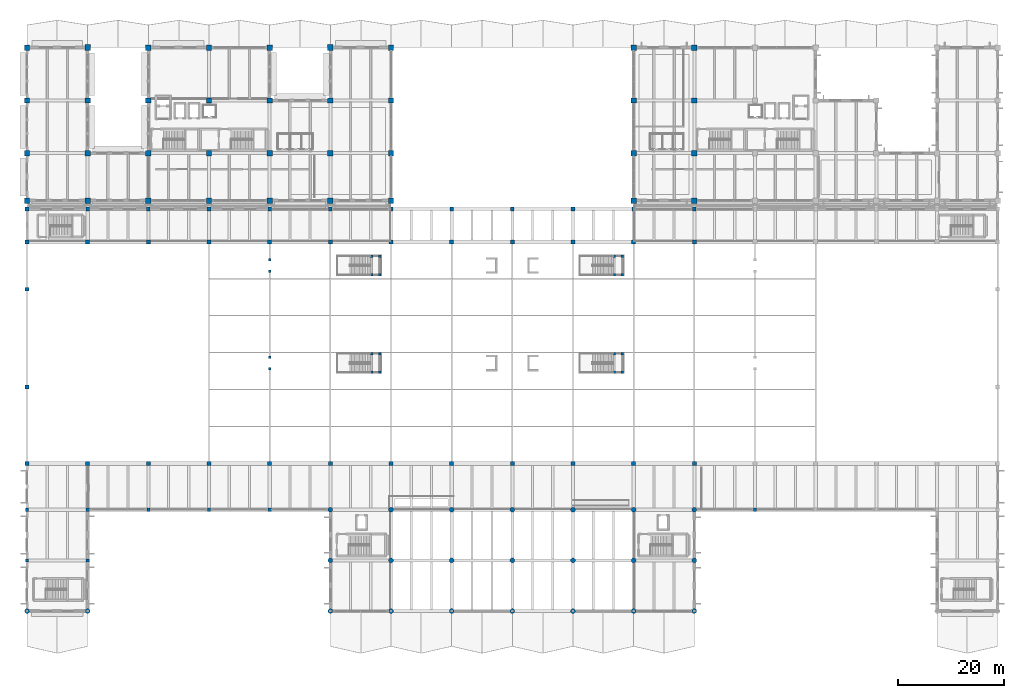
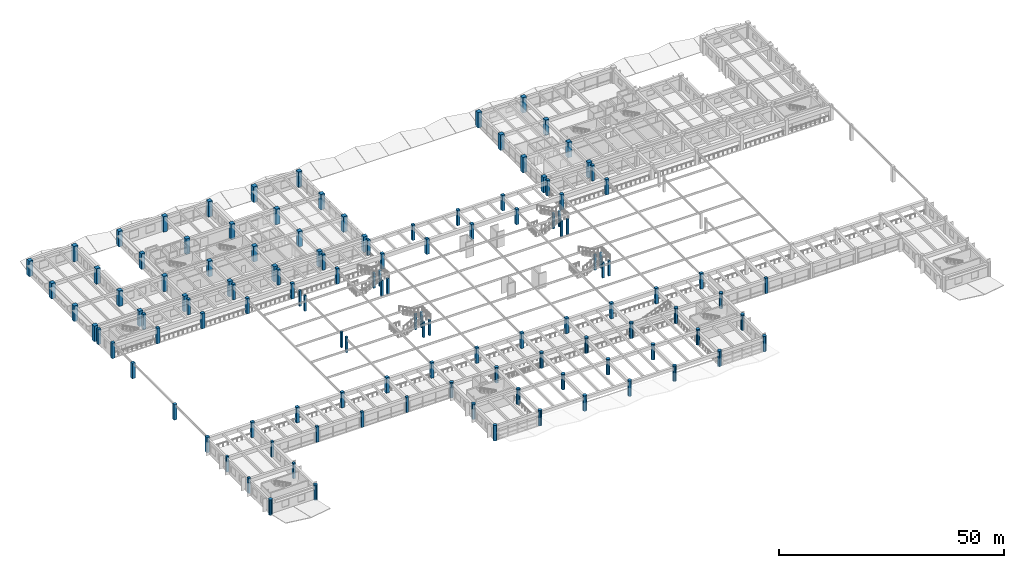
# One storey, part 1 of 98: 125 columns.
"""IFC4 building model written with IfcOpenShell, lengths in metres."""

from ifc_helpers import new_model, si_unit, direction, frame, origin, origin_2d, place, context, subcontext, project, spatial, rectangle, circle, extrude, material, material_profile, profile_set, type_object, element, save


model = new_model("IFC4")

# Units and contexts
model_context = context("Model", 3, precision=1e-05, world=origin(), true_north=direction((0.0, 1.0)))
body_context = subcontext(model_context, "Body", "Model", "MODEL_VIEW")
ifc_project = project(units=[si_unit("LENGTHUNIT", "METRE"), si_unit("AREAUNIT", "SQUARE_METRE"), si_unit("VOLUMEUNIT", "CUBIC_METRE"), si_unit("PLANEANGLEUNIT", "RADIAN"), si_unit("MASSUNIT", "GRAM", prefix="KILO")], contexts=[model_context])

# Site, building, storey
site_placement = place(None, origin())
site = spatial("IfcSite", under=ifc_project, at=site_placement, CompositionType="ELEMENT")
building_placement = place(site_placement, origin())
building = spatial("IfcBuilding", under=site, at=building_placement, Name="Ologun Quay Terminus", CompositionType="ELEMENT")
storey_placement = place(building_placement, frame((0.0, 0.0, 4.199951171875)))
storey = spatial("IfcBuildingStorey", under=building, at=storey_placement, Name="L01", CompositionType="ELEMENT", Elevation=4.199951171875)

# Columns
ifc_material_1 = material(Name="Concrete C40/50", Category="concrete")
ifc_material_profile_1 = material_profile(ifc_material_1, rectangle(XDim=0.5, YDim=0.5, at=origin_2d()), Name="RC 500x500")
ifc_profile_set_1 = profile_set([ifc_material_profile_1], Name="Concrete C40/50")
column_type_1 = type_object("IfcColumnType", Name="Canopy Edge Column 500x500", PredefinedType="COLUMN", material=ifc_profile_set_1)
for number, where, z_axis, x_axis, name in (
    (1, (65.300048828125, 53.25, -2.280029296875), (0.0, 0.0, 1.0), (1.0, 0.0, 0.0), "C8 Platform Upper Half-Landing Column ST-P1-BS"),
    (2, (65.300048828125, 56.75, -2.280029296875), (0.0, 0.0, 1.0), (1.0, 0.0, 0.0), "C8 Platform Upper Half-Landing Column ST-P1-BN"),
    (3, (66.85009765625, 53.25, -2.280029296875), (0.0, 0.0, 1.0), (1.0, 0.0, 0.0), "C8 Platform Upper Half-Landing Column ST-P1-CS"),
    (4, (66.85009765625, 56.75, -2.280029296875), (0.0, 0.0, 1.0), (1.0, 0.0, 0.0), "C8 Platform Upper Half-Landing Column ST-P1-CN"),
    (5, (111.300048828125, 53.25, -2.280029296875), (0.0, 0.0, 1.0), (1.0, 0.0, 0.0), "C8 Platform Upper Half-Landing Column ST-P2-BS"),
    (6, (111.300048828125, 56.75, -2.280029296875), (0.0, 0.0, 1.0), (1.0, 0.0, 0.0), "C8 Platform Upper Half-Landing Column ST-P2-BN"),
    (7, (112.85009765625, 53.25, -2.280029296875), (0.0, 0.0, 1.0), (1.0, 0.0, 0.0), "C8 Platform Upper Half-Landing Column ST-P2-CS"),
    (8, (112.85009765625, 56.75, -2.280029296875), (0.0, 0.0, 1.0), (1.0, 0.0, 0.0), "C8 Platform Upper Half-Landing Column ST-P2-CN"),
    (9, (65.300048828125, 71.75, -2.280029296875), (0.0, 0.0, 1.0), (1.0, 0.0, 0.0), "C8 Platform Upper Half-Landing Column ST-P3-BS"),
    (10, (65.300048828125, 75.25, -2.280029296875), (0.0, 0.0, 1.0), (1.0, 0.0, 0.0), "C8 Platform Upper Half-Landing Column ST-P3-BN"),
    (11, (66.85009765625, 71.75, -2.280029296875), (0.0, 0.0, 1.0), (1.0, 0.0, 0.0), "C8 Platform Upper Half-Landing Column ST-P3-CS"),
    (12, (66.85009765625, 75.25, -2.280029296875), (0.0, 0.0, 1.0), (1.0, 0.0, 0.0), "C8 Platform Upper Half-Landing Column ST-P3-CN"),
    (13, (111.300048828125, 71.75, -2.280029296875), (0.0, 0.0, 1.0), (1.0, 0.0, 0.0), "C8 Platform Upper Half-Landing Column ST-P4-BS"),
    (14, (111.300048828125, 75.25, -2.280029296875), (0.0, 0.0, 1.0), (1.0, 0.0, 0.0), "C8 Platform Upper Half-Landing Column ST-P4-BN"),
    (15, (112.85009765625, 71.75, -2.280029296875), (0.0, 0.0, 1.0), (1.0, 0.0, 0.0), "C8 Platform Upper Half-Landing Column ST-P4-CS"),
    (16, (112.85009765625, 75.25, -2.280029296875), (0.0, 0.0, 1.0), (1.0, 0.0, 0.0), "C8 Platform Upper Half-Landing Column ST-P4-CN"),
):
    element("IfcColumn", number, at=place(storey_placement, frame(where, z_axis=z_axis, x_axis=x_axis)), inside=storey, type_object=column_type_1, Name=name, PredefinedType="COLUMN", context=body_context, shape_type="SweptSolid", body=[
        extrude(rectangle(XDim=0.5, YDim=0.5, at=origin_2d()), origin(), (0.0, 0.0, 1.0), 4.2001953125),
    ])
for number, where, z_axis, x_axis, name in (
    (17, (46.0, 53.89990234375, 0.0), (0.0, 0.0, 1.0), (1.0, 0.0, 0.0), "C8 Concourse Trimmer Column 5-1 L01"),
    (18, (46.0, 56.10009765625, 0.0), (0.0, 0.0, 1.0), (1.0, 0.0, 0.0), "C8 Concourse Trimmer Column 5-2 L01"),
    (19, (46.0, 72.39990234375, 0.0), (0.0, 0.0, 1.0), (1.0, 0.0, 0.0), "C8 Concourse Trimmer Column 5-3 L01"),
    (20, (46.0, 74.60009765625, 0.0), (0.0, 0.0, 1.0), (1.0, 0.0, 0.0), "C8 Concourse Trimmer Column 5-4 L01"),
):
    element("IfcColumn", number, at=place(storey_placement, frame(where, z_axis=z_axis, x_axis=x_axis)), inside=storey, type_object=column_type_1, Name=name, PredefinedType="COLUMN", context=body_context, shape_type="SweptSolid", body=[
        extrude(rectangle(XDim=0.5, YDim=0.5, at=origin_2d()), origin(), (0.0, 0.0, 1.0), 4.199951171875),
    ])
ifc_material_2 = material(Name="Concrete C45/55", Category="concrete")
ifc_material_profile_2 = material_profile(ifc_material_2, rectangle(XDim=1.10009765625, YDim=1.10009765625, at=origin_2d()), Name="RC 1100x1100")
ifc_profile_set_2 = profile_set([ifc_material_profile_2], Name="Concrete C45/55")
column_type_2 = type_object("IfcColumnType", Name="Courtyard Wing Lower Column 1100x1100", PredefinedType="COLUMN", material=ifc_profile_set_2)
for number, where, z_axis, x_axis, name in (
    (21, (11.5, 114.800048828125, 0.0), (0.0, 0.0, 1.0), (1.0, 0.0, 0.0), "C1 Column 2/K L01"),
    (22, (57.5, 114.800048828125, 0.0), (0.0, 0.0, 1.0), (1.0, 0.0, 0.0), "C1 Column 6/K L01"),
):
    element("IfcColumn", number, at=place(storey_placement, frame(where, z_axis=z_axis, x_axis=x_axis)), inside=storey, type_object=column_type_2, Name=name, PredefinedType="COLUMN", context=body_context, shape_type="SweptSolid", body=[
        extrude(rectangle(XDim=1.10009765625, YDim=1.10009765625, at=origin_2d()), origin(), (0.0, 0.0, 1.0), 4.199951171875),
    ])
ifc_material_3 = material(Name="Concrete C45/55", Category="concrete")
ifc_material_profile_3 = material_profile(ifc_material_3, rectangle(XDim=1.0, YDim=1.0, at=origin_2d()), Name="RC 1000x1000")
ifc_profile_set_3 = profile_set([ifc_material_profile_3], Name="Concrete C45/55")
column_type_3 = type_object("IfcColumnType", Name="Courtyard Wing Mid-Lower Column 1000x1000", PredefinedType="COLUMN", material=ifc_profile_set_3)
for number, where, z_axis, x_axis, name in (
    (23, (0.0, 85.800048828125, 0.0), (0.0, 0.0, 1.0), (1.0, 0.0, 0.0), "C2 Column 1/G2 L01"),
    (24, (0.0, 94.800048828125, 0.0), (0.0, 0.0, 1.0), (1.0, 0.0, 0.0), "C2 Column 1/H L01"),
    (25, (0.0, 104.800048828125, 0.0), (0.0, 0.0, 1.0), (1.0, 0.0, 0.0), "C2 Column 1/J L01"),
    (26, (0.0, 114.800048828125, 0.0), (0.0, 0.0, 1.0), (1.0, 0.0, 0.0), "C2 Column 1/K L01"),
    (27, (11.5, 85.800048828125, 0.0), (0.0, 0.0, 1.0), (1.0, 0.0, 0.0), "C2 Column 2/G2 L01"),
    (28, (11.5, 94.800048828125, 0.0), (0.0, 0.0, 1.0), (1.0, 0.0, 0.0), "C2 Column 2/H L01"),
    (29, (11.5, 104.800048828125, 0.0), (0.0, 0.0, 1.0), (1.0, 0.0, 0.0), "C2 Column 2/J L01"),
    (30, (23.0, 85.800048828125, 0.0), (0.0, 0.0, 1.0), (1.0, 0.0, 0.0), "C2 Column 3/G2 L01"),
    (31, (23.0, 94.800048828125, 0.0), (0.0, 0.0, 1.0), (1.0, 0.0, 0.0), "C2 Column 3/H L01"),
    (32, (23.0, 104.800048828125, 0.0), (0.0, 0.0, 1.0), (1.0, 0.0, 0.0), "C2 Column 3/J L01"),
    (33, (23.0, 114.800048828125, 0.0), (0.0, 0.0, 1.0), (1.0, 0.0, 0.0), "C2 Column 3/K L01"),
    (34, (34.5, 85.800048828125, 0.0), (0.0, 0.0, 1.0), (1.0, 0.0, 0.0), "C2 Column 4/G2 L01"),
    (35, (34.5, 94.800048828125, 0.0), (0.0, 0.0, 1.0), (1.0, 0.0, 0.0), "C2 Column 4/H L01"),
    (36, (34.5, 104.800048828125, 0.0), (0.0, 0.0, 1.0), (1.0, 0.0, 0.0), "C2 Column 4/J L01"),
    (37, (34.5, 114.800048828125, 0.0), (0.0, 0.0, 1.0), (1.0, 0.0, 0.0), "C2 Column 4/K L01"),
    (38, (46.0, 85.800048828125, 0.0), (0.0, 0.0, 1.0), (1.0, 0.0, 0.0), "C2 Column 5/G2 L01"),
    (39, (46.0, 94.800048828125, 0.0), (0.0, 0.0, 1.0), (1.0, 0.0, 0.0), "C2 Column 5/H L01"),
    (40, (46.0, 104.800048828125, 0.0), (0.0, 0.0, 1.0), (1.0, 0.0, 0.0), "C2 Column 5/J L01"),
    (41, (46.0, 114.800048828125, 0.0), (0.0, 0.0, 1.0), (1.0, 0.0, 0.0), "C2 Column 5/K L01"),
    (42, (57.5, 85.800048828125, 0.0), (0.0, 0.0, 1.0), (1.0, 0.0, 0.0), "C2 Column 6/G2 L01"),
    (43, (57.5, 94.800048828125, 0.0), (0.0, 0.0, 1.0), (1.0, 0.0, 0.0), "C2 Column 6/H L01"),
    (44, (57.5, 104.800048828125, 0.0), (0.0, 0.0, 1.0), (1.0, 0.0, 0.0), "C2 Column 6/J L01"),
    (45, (69.0, 85.800048828125, 0.0), (0.0, 0.0, 1.0), (1.0, 0.0, 0.0), "C2 Column 7/G2 L01"),
    (46, (69.0, 94.800048828125, 0.0), (0.0, 0.0, 1.0), (1.0, 0.0, 0.0), "C2 Column 7/H L01"),
    (47, (69.0, 104.800048828125, 0.0), (0.0, 0.0, 1.0), (1.0, 0.0, 0.0), "C2 Column 7/J L01"),
    (48, (69.0, 114.800048828125, 0.0), (0.0, 0.0, 1.0), (1.0, 0.0, 0.0), "C2 Column 7/K L01"),
    (49, (115.0, 85.800048828125, 0.0), (0.0, 0.0, 1.0), (1.0, 0.0, 0.0), "C2 Column 11/G2 L01"),
    (50, (115.0, 94.800048828125, 0.0), (0.0, 0.0, 1.0), (1.0, 0.0, 0.0), "C2 Column 11/H L01"),
    (51, (115.0, 104.800048828125, 0.0), (0.0, 0.0, 1.0), (1.0, 0.0, 0.0), "C2 Column 11/J L01"),
    (52, (115.0, 114.800048828125, 0.0), (0.0, 0.0, 1.0), (1.0, 0.0, 0.0), "C2 Column 11/K L01"),
    (53, (126.5, 85.800048828125, 0.0), (0.0, 0.0, 1.0), (1.0, 0.0, 0.0), "C2 Column 12/G2 L01"),
    (54, (126.5, 94.800048828125, 0.0), (0.0, 0.0, 1.0), (1.0, 0.0, 0.0), "C2 Column 12/H L01"),
    (55, (126.5, 104.800048828125, 0.0), (0.0, 0.0, 1.0), (1.0, 0.0, 0.0), "C2 Column 12/J L01"),
    (56, (126.5, 114.800048828125, 0.0), (0.0, 0.0, 1.0), (1.0, 0.0, 0.0), "C2 Column 12/K L01"),
):
    element("IfcColumn", number, at=place(storey_placement, frame(where, z_axis=z_axis, x_axis=x_axis)), inside=storey, type_object=column_type_3, Name=name, PredefinedType="COLUMN", context=body_context, shape_type="SweptSolid", body=[
        extrude(rectangle(XDim=1.0, YDim=1.0, at=origin_2d()), origin(), (0.0, 0.0, 1.0), 4.199951171875),
    ])
ifc_material_4 = material(Name="Concrete C40/50", Category="concrete")
ifc_material_profile_4 = material_profile(ifc_material_4, rectangle(XDim=0.60009765625, YDim=0.60009765625, at=origin_2d()), Name="RC 600x600")
ifc_profile_set_4 = profile_set([ifc_material_profile_4], Name="Concrete C40/50")
column_type_4 = type_object("IfcColumnType", Name="Podium Retail Column 600x600", PredefinedType="COLUMN", material=ifc_profile_set_4)
for number, where, z_axis, x_axis, name in (
    (57, (0.0, 17.60009765625, 0.0), (0.0, 0.0, 1.0), (1.0, 0.0, 0.0), "C7 Column 1/C L01"),
    (58, (0.0, 27.199951171875, 0.0), (0.0, 0.0, 1.0), (1.0, 0.0, 0.0), "C7 Column 1/D L01"),
    (59, (11.5, 17.60009765625, 0.0), (0.0, 0.0, 1.0), (1.0, 0.0, 0.0), "C7 Column 2/C L01"),
    (60, (11.5, 27.199951171875, 0.0), (0.0, 0.0, 1.0), (1.0, 0.0, 0.0), "C7 Column 2/D L01"),
    (61, (23.0, 27.199951171875, 0.0), (0.0, 0.0, 1.0), (1.0, 0.0, 0.0), "C7 Column 3/D L01"),
    (62, (34.5, 27.199951171875, 0.0), (0.0, 0.0, 1.0), (1.0, 0.0, 0.0), "C7 Column 4/D L01"),
    (63, (46.0, 27.199951171875, 0.0), (0.0, 0.0, 1.0), (1.0, 0.0, 0.0), "C7 Column 5/D L01"),
    (64, (138.0, 27.199951171875, 0.0), (0.0, 0.0, 1.0), (1.0, 0.0, 0.0), "C7 Column 13/D L01"),
):
    element("IfcColumn", number, at=place(storey_placement, frame(where, z_axis=z_axis, x_axis=x_axis)), inside=storey, type_object=column_type_4, Name=name, PredefinedType="COLUMN", context=body_context, shape_type="SweptSolid", body=[
        extrude(rectangle(XDim=0.60009765625, YDim=0.60009765625, at=origin_2d()), origin(), (0.0, 0.0, 1.0), 4.199951171875),
    ])
ifc_material_5 = material(Name="Concrete C45/55", Category="concrete")
ifc_material_profile_5 = material_profile(ifc_material_5, rectangle(XDim=0.75, YDim=0.75, at=origin_2d()), Name="RC 750x750")
ifc_profile_set_5 = profile_set([ifc_material_profile_5], Name="Concrete C45/55")
column_type_5 = type_object("IfcColumnType", Name="Station Arch Pier Stem 750x750", PredefinedType="COLUMN", material=ifc_profile_set_5)
for number, where, z_axis, x_axis, name in (
    (65, (0.0, 36.0, 0.0), (0.0, 0.0, 1.0), (1.0, 0.0, 0.0), "C5 Column 1/E L01"),
    (66, (0.0, 78.0, 0.0), (0.0, 0.0, 1.0), (1.0, 0.0, 0.0), "C5 Column 1/F L01"),
    (67, (11.5, 36.0, 0.0), (0.0, 0.0, 1.0), (1.0, 0.0, 0.0), "C5 Column 2/E L01"),
    (68, (11.5, 78.0, 0.0), (0.0, 0.0, 1.0), (1.0, 0.0, 0.0), "C5 Column 2/F L01"),
    (69, (23.0, 36.0, 0.0), (0.0, 0.0, 1.0), (1.0, 0.0, 0.0), "C5 Column 3/E L01"),
    (70, (23.0, 78.0, 0.0), (0.0, 0.0, 1.0), (1.0, 0.0, 0.0), "C5 Column 3/F L01"),
    (71, (34.5, 36.0, 0.0), (0.0, 0.0, 1.0), (1.0, 0.0, 0.0), "C5 Column 4/E L01"),
    (72, (34.5, 78.0, 0.0), (0.0, 0.0, 1.0), (1.0, 0.0, 0.0), "C5 Column 4/F L01"),
    (73, (46.0, 36.0, 0.0), (0.0, 0.0, 1.0), (1.0, 0.0, 0.0), "C5 Column 5/E L01"),
    (74, (46.0, 78.0, 0.0), (0.0, 0.0, 1.0), (1.0, 0.0, 0.0), "C5 Column 5/F L01"),
    (75, (57.5, 36.0, 0.0), (0.0, 0.0, 1.0), (1.0, 0.0, 0.0), "C5 Column 6/E L01"),
    (76, (57.5, 78.0, 0.0), (0.0, 0.0, 1.0), (1.0, 0.0, 0.0), "C5 Column 6/F L01"),
    (77, (69.0, 36.0, 0.0), (0.0, 0.0, 1.0), (1.0, 0.0, 0.0), "C5 Column 7/E L01"),
    (78, (69.0, 78.0, 0.0), (0.0, 0.0, 1.0), (1.0, 0.0, 0.0), "C5 Column 7/F L01"),
    (79, (80.5, 36.0, 0.0), (0.0, 0.0, 1.0), (1.0, 0.0, 0.0), "C5 Column 8/E L01"),
    (80, (80.5, 78.0, 0.0), (0.0, 0.0, 1.0), (1.0, 0.0, 0.0), "C5 Column 8/F L01"),
    (81, (92.0, 36.0, 0.0), (0.0, 0.0, 1.0), (1.0, 0.0, 0.0), "C5 Column 9/E L01"),
    (82, (92.0, 78.0, 0.0), (0.0, 0.0, 1.0), (1.0, 0.0, 0.0), "C5 Column 9/F L01"),
    (83, (103.5, 36.0, 0.0), (0.0, 0.0, 1.0), (1.0, 0.0, 0.0), "C5 Column 10/E L01"),
    (84, (103.5, 78.0, 0.0), (0.0, 0.0, 1.0), (1.0, 0.0, 0.0), "C5 Column 10/F L01"),
    (85, (115.0, 36.0, 0.0), (0.0, 0.0, 1.0), (1.0, 0.0, 0.0), "C5 Column 11/E L01"),
    (86, (115.0, 78.0, 0.0), (0.0, 0.0, 1.0), (1.0, 0.0, 0.0), "C5 Column 11/F L01"),
    (87, (126.5, 36.0, 0.0), (0.0, 0.0, 1.0), (1.0, 0.0, 0.0), "C5 Column 12/E L01"),
    (88, (126.5, 78.0, 0.0), (0.0, 0.0, 1.0), (1.0, 0.0, 0.0), "C5 Column 12/F L01"),
    (89, (0.0, 50.5, 0.0), (0.0, 0.0, 1.0), (1.0, 0.0, 0.0), "C5 Gable Mullion Column 1-Y50 L01"),
    (90, (0.0, 69.0, 0.0), (0.0, 0.0, 1.0), (1.0, 0.0, 0.0), "C5 Gable Mullion Column 1-Y69 L01"),
):
    element("IfcColumn", number, at=place(storey_placement, frame(where, z_axis=z_axis, x_axis=x_axis)), inside=storey, type_object=column_type_5, Name=name, PredefinedType="COLUMN", context=body_context, shape_type="SweptSolid", body=[
        extrude(rectangle(XDim=0.75, YDim=0.75, at=origin_2d()), origin(), (0.0, 0.0, 1.0), 4.199951171875),
    ])
ifc_material_6 = material(Name="Concrete C40/50", Category="concrete")
ifc_material_profile_6 = material_profile(ifc_material_6, rectangle(XDim=0.699951171875, YDim=0.699951171875, at=origin_2d()), Name="RC 700x700")
ifc_profile_set_6 = profile_set([ifc_material_profile_6], Name="Concrete C40/50")
column_type_6 = type_object("IfcColumnType", Name="Station Concourse Column 700x700", PredefinedType="COLUMN", material=ifc_profile_set_6)
for number, where, z_axis, x_axis, name in (
    (91, (0.0, 84.199951171875, 0.0), (0.0, 0.0, 1.0), (1.0, 0.0, 0.0), "C6 Column 1/G1 L01"),
    (92, (11.5, 84.199951171875, 0.0), (0.0, 0.0, 1.0), (1.0, 0.0, 0.0), "C6 Column 2/G1 L01"),
    (93, (23.0, 84.199951171875, 0.0), (0.0, 0.0, 1.0), (1.0, 0.0, 0.0), "C6 Column 3/G1 L01"),
    (94, (34.5, 84.199951171875, 0.0), (0.0, 0.0, 1.0), (1.0, 0.0, 0.0), "C6 Column 4/G1 L01"),
    (95, (46.0, 84.199951171875, 0.0), (0.0, 0.0, 1.0), (1.0, 0.0, 0.0), "C6 Column 5/G1 L01"),
    (96, (57.5, 84.199951171875, 0.0), (0.0, 0.0, 1.0), (1.0, 0.0, 0.0), "C6 Column 6/G1 L01"),
    (97, (69.0, 84.199951171875, 0.0), (0.0, 0.0, 1.0), (1.0, 0.0, 0.0), "C6 Column 7/G1 L01"),
    (98, (80.5, 84.199951171875, 0.0), (0.0, 0.0, 1.0), (1.0, 0.0, 0.0), "C6 Column 8/G1 L01"),
    (99, (92.0, 84.199951171875, 0.0), (0.0, 0.0, 1.0), (1.0, 0.0, 0.0), "C6 Column 9/G1 L01"),
    (100, (103.5, 84.199951171875, 0.0), (0.0, 0.0, 1.0), (1.0, 0.0, 0.0), "C6 Column 10/G1 L01"),
    (101, (115.0, 84.199951171875, 0.0), (0.0, 0.0, 1.0), (1.0, 0.0, 0.0), "C6 Column 11/G1 L01"),
    (102, (126.5, 84.199951171875, 0.0), (0.0, 0.0, 1.0), (1.0, 0.0, 0.0), "C6 Column 12/G1 L01"),
):
    element("IfcColumn", number, at=place(storey_placement, frame(where, z_axis=z_axis, x_axis=x_axis)), inside=storey, type_object=column_type_6, Name=name, PredefinedType="COLUMN", context=body_context, shape_type="SweptSolid", body=[
        extrude(rectangle(XDim=0.699951171875, YDim=0.699951171875, at=origin_2d()), origin(), (0.0, 0.0, 1.0), 4.199951171875),
    ])
ifc_material_7 = material(Name="Concrete C45/55", Category="concrete")
ifc_material_profile_7 = material_profile(ifc_material_7, circle(Radius=0.449951171875, at=origin_2d()), Name="RC D900")
ifc_profile_set_7 = profile_set([ifc_material_profile_7], Name="Concrete C45/55")
column_type_7 = type_object("IfcColumnType", Name="Ticket Hall Sculpted Circular Column D900", PredefinedType="COLUMN", material=ifc_profile_set_7)
for number, where, z_axis, x_axis, name in (
    (103, (0.0, 8.0, 0.0), (0.0, 0.0, 1.0), (1.0, 0.0, 0.0), "C9 Column 1/B L01"),
    (104, (11.5, 8.0, 0.0), (0.0, 0.0, 1.0), (1.0, 0.0, 0.0), "C9 Column 2/B L01"),
    (105, (57.5, 8.0, 0.0), (0.0, 0.0, 1.0), (1.0, 0.0, 0.0), "C9 Column 6/B L01"),
    (106, (57.5, 17.60009765625, 0.0), (0.0, 0.0, 1.0), (1.0, 0.0, 0.0), "C9 Column 6/C L01"),
    (107, (57.5, 27.199951171875, 0.0), (0.0, 0.0, 1.0), (1.0, 0.0, 0.0), "C9 Column 6/D L01"),
    (108, (69.0, 8.0, 0.0), (0.0, 0.0, 1.0), (1.0, 0.0, 0.0), "C9 Column 7/B L01"),
    (109, (69.0, 17.60009765625, 0.0), (0.0, 0.0, 1.0), (1.0, 0.0, 0.0), "C9 Column 7/C L01"),
    (110, (69.0, 27.199951171875, 0.0), (0.0, 0.0, 1.0), (1.0, 0.0, 0.0), "C9 Column 7/D L01"),
    (111, (80.5, 8.0, 0.0), (0.0, 0.0, 1.0), (1.0, 0.0, 0.0), "C9 Column 8/B L01"),
    (112, (80.5, 17.60009765625, 0.0), (0.0, 0.0, 1.0), (1.0, 0.0, 0.0), "C9 Column 8/C L01"),
    (113, (80.5, 27.199951171875, 0.0), (0.0, 0.0, 1.0), (1.0, 0.0, 0.0), "C9 Column 8/D L01"),
    (114, (92.0, 8.0, 0.0), (0.0, 0.0, 1.0), (1.0, 0.0, 0.0), "C9 Column 9/B L01"),
    (115, (92.0, 17.60009765625, 0.0), (0.0, 0.0, 1.0), (1.0, 0.0, 0.0), "C9 Column 9/C L01"),
    (116, (92.0, 27.199951171875, 0.0), (0.0, 0.0, 1.0), (1.0, 0.0, 0.0), "C9 Column 9/D L01"),
    (117, (103.5, 8.0, 0.0), (0.0, 0.0, 1.0), (1.0, 0.0, 0.0), "C9 Column 10/B L01"),
    (118, (103.5, 17.60009765625, 0.0), (0.0, 0.0, 1.0), (1.0, 0.0, 0.0), "C9 Column 10/C L01"),
    (119, (103.5, 27.199951171875, 0.0), (0.0, 0.0, 1.0), (1.0, 0.0, 0.0), "C9 Column 10/D L01"),
    (120, (115.0, 8.0, 0.0), (0.0, 0.0, 1.0), (1.0, 0.0, 0.0), "C9 Column 11/B L01"),
    (121, (115.0, 17.60009765625, 0.0), (0.0, 0.0, 1.0), (1.0, 0.0, 0.0), "C9 Column 11/C L01"),
    (122, (115.0, 27.199951171875, 0.0), (0.0, 0.0, 1.0), (1.0, 0.0, 0.0), "C9 Column 11/D L01"),
    (123, (126.5, 8.0, 0.0), (0.0, 0.0, 1.0), (1.0, 0.0, 0.0), "C9 Column 12/B L01"),
    (124, (126.5, 17.60009765625, 0.0), (0.0, 0.0, 1.0), (1.0, 0.0, 0.0), "C9 Column 12/C L01"),
    (125, (126.5, 27.199951171875, 0.0), (0.0, 0.0, 1.0), (1.0, 0.0, 0.0), "C9 Column 12/D L01"),
):
    element("IfcColumn", number, at=place(storey_placement, frame(where, z_axis=z_axis, x_axis=x_axis)), inside=storey, type_object=column_type_7, Name=name, PredefinedType="COLUMN", context=body_context, shape_type="SweptSolid", body=[
        extrude(circle(Radius=0.449951171875, at=origin_2d()), origin(), (0.0, 0.0, 1.0), 4.199951171875),
    ])

save(model, "model.ifc")
